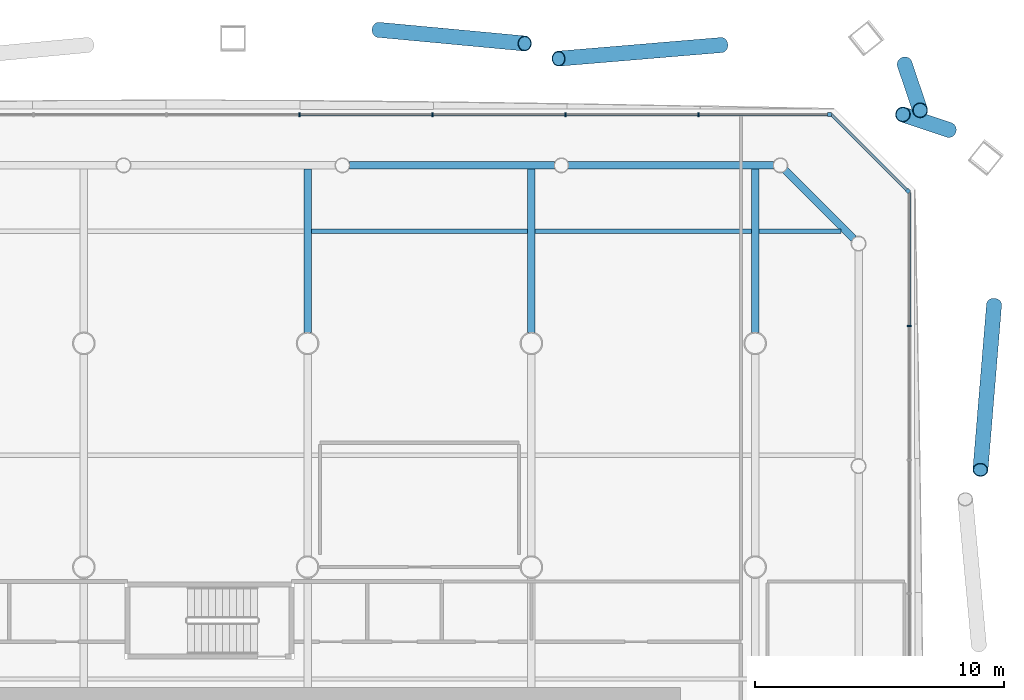
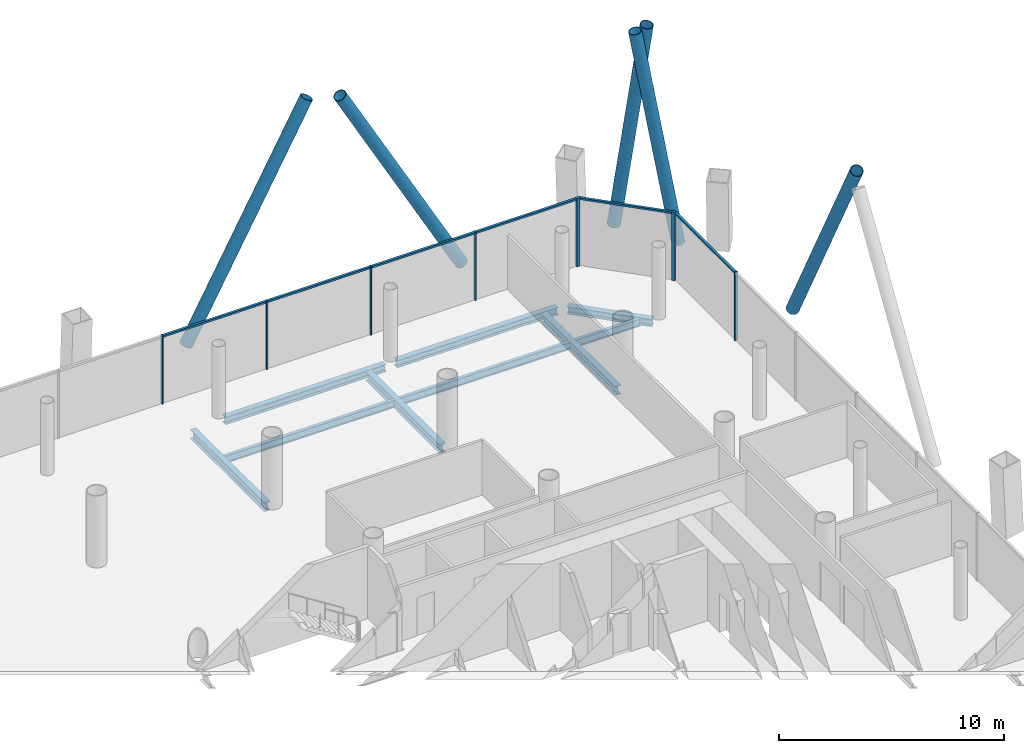
# One storey, part 15 of 25: 18 members, 9 beams, 3 elements without a shape of their own.
"""IFC4 building model written with IfcOpenShell, lengths in metres."""

from ifc_helpers import new_model, si_unit, direction, frame, origin, origin_2d, place, context, subcontext, project, spatial, rectangle, hollow_circle, i_section, extrude, material, material_profile, profile_set, type_object, element, aggregate, save


model = new_model("IFC4")

# Units and contexts
model_context = context("Model", 3, precision=1e-05, world=origin(), true_north=direction((0.0, 1.0)))
body_context = subcontext(model_context, "Body", "Model", "MODEL_VIEW")
ifc_project = project(units=[si_unit("LENGTHUNIT", "METRE"), si_unit("AREAUNIT", "SQUARE_METRE"), si_unit("VOLUMEUNIT", "CUBIC_METRE"), si_unit("PLANEANGLEUNIT", "RADIAN"), si_unit("MASSUNIT", "GRAM", prefix="KILO")], contexts=[model_context])

# Site, building, storey
site_placement = place(None, origin())
site = spatial("IfcSite", under=ifc_project, at=site_placement, CompositionType="ELEMENT")
building_placement = place(site_placement, origin())
building = spatial("IfcBuilding", under=site, at=building_placement, Name="Tskaro Facet Tower", CompositionType="ELEMENT")
storey_placement = place(building_placement, frame((0.0, 0.0, 22.5)))
storey = spatial("IfcBuildingStorey", under=building, at=storey_placement, Name="L04", CompositionType="ELEMENT", Elevation=22.5)

# Members
ifc_material_1 = material(Name="Steel S355J2H", Category="steel")
ifc_material_profile_1 = material_profile(ifc_material_1, hollow_circle(Radius=0.304931640625, WallThickness=0.030029296875, at=origin_2d()), Name="CHS 610x30")
ifc_profile_set_1 = profile_set([ifc_material_profile_1], Name="Steel S355J2H")
member_type_1 = type_object("IfcMemberType", Name="CHS 610x30 brace", PredefinedType="BRACE", material=ifc_profile_set_1)
member_1_placement = place(storey_placement, frame((27.607177734375, 19.546142578125, 0.0), z_axis=(-0.040680240345, -0.492860245825, 0.869157003153), x_axis=(0.996610955233, -0.082259369736, 0.0)))
element("IfcMember", 1, at=member_1_placement, inside=storey, type_object=member_type_1, Name="CHS 610x30 XB05B/1", PredefinedType="BRACE", context=body_context, shape_type="SweptSolid", body=[
    extrude(hollow_circle(Radius=0.304931640625, WallThickness=0.030029296875, at=origin_2d()), origin(), (0.0, 0.0, 1.0), 13.461181640625),
])
for number, where, z_axis, x_axis, name in (
    (2, (25.78759765625, 26.584716796875, 0.0), (-0.155693587518, 0.052240920825, 0.986423029434), (-0.318107211302, -0.948054746371, 0.0), "CHS 610x30 XB06A/1"),
    (3, (24.01611328125, 29.218994140625, 0.0), (0.052240753397, -0.155713671967, 0.986419868031), (0.948067427314, 0.318069415799, 0.0), "CHS 610x30 XB06B/1"),
):
    element("IfcMember", number, at=place(storey_placement, frame(where, z_axis=z_axis, x_axis=x_axis)), inside=storey, type_object=member_type_1, Name=name, PredefinedType="BRACE", context=body_context, shape_type="SweptSolid", body=[
        extrude(hollow_circle(Radius=0.304931640625, WallThickness=0.030029296875, at=origin_2d()), origin(), (0.0, 0.0, 1.0), 11.861083984375),
    ])
member_2_placement = place(storey_placement, frame((16.6357421875, 29.997314453125, 0.0), z_axis=(-0.487809665063, -0.040831246537, 0.871994575658), x_axis=(0.083411543722, -0.99651518522, 0.0)))
element("IfcMember", 4, at=member_2_placement, inside=storey, type_object=member_type_1, Name="CHS 610x30 XB07A/1", PredefinedType="BRACE", context=body_context, shape_type="SweptSolid", body=[
    extrude(hollow_circle(Radius=0.304931640625, WallThickness=0.030029296875, at=origin_2d()), origin(), (0.0, 0.0, 1.0), 13.41748046875),
])
member_3_placement = place(storey_placement, frame((2.86572265625, 30.607177734375, 0.0), z_axis=(0.44778409282, -0.041803867485, 0.893163950728), x_axis=(0.092953006112, 0.995670497029, 0.0)))
element("IfcMember", 5, at=member_3_placement, inside=storey, type_object=member_type_1, Name="CHS 610x30 XB07B/1", PredefinedType="BRACE", context=body_context, shape_type="SweptSolid", body=[
    extrude(hollow_circle(Radius=0.304931640625, WallThickness=0.030029296875, at=origin_2d()), origin(), (0.0, 0.0, 1.0), 13.099365234375),
])

# Curtain wall, member
ifc_material_2 = material(Name="Bronze anodised aluminium 6063-T6", Category="aluminium")
curtain_wall_type = type_object("IfcCurtainWallType", Name="Bronze office curtain wall (FW1)", PredefinedType="NOTDEFINED", material=ifc_material_2)
curtain_wall_1_placement = place(storey_placement, origin())
curtain_wall_1 = element("IfcCurtainWall", 6, at=curtain_wall_1_placement, inside=storey, type_object=curtain_wall_type, Name="FW1 north-east facet L04", PredefinedType="NOTDEFINED")
ifc_material_profile_2 = material_profile(ifc_material_2, rectangle(XDim=0.159912109375, YDim=0.159912109375, at=origin_2d()), Name="Corner post 160x160")
ifc_profile_set_2 = profile_set([ifc_material_profile_2], Name="Bronze anodised aluminium 6063-T6")
member_type_2 = type_object("IfcMemberType", Name="FW1 bronze corner post 160x160", PredefinedType="MULLION", material=ifc_profile_set_2)
member_4_placement = place(storey_placement, frame((24.1455078125, 24.12255859375, 0.0), z_axis=(0.0, 0.0, 1.0), x_axis=(-0.707106781187, 0.707106781187, 0.0)))
member_4 = element("IfcMember", 7, at=member_4_placement, type_object=member_type_2, Name="FW1 north-east corner post", PredefinedType="MULLION", context=body_context, shape_type="SweptSolid", body=[
    extrude(rectangle(XDim=0.159912109375, YDim=0.159912109375, at=origin_2d()), origin(), (0.0, 0.0, 1.0), 3.699951171875),
])

curtain_wall_2_placement = place(storey_placement, origin())
curtain_wall_2 = element("IfcCurtainWall", 8, at=curtain_wall_2_placement, inside=storey, type_object=curtain_wall_type, Name="FW1 north facet L04", PredefinedType="NOTDEFINED")
member_5_placement = place(storey_placement, frame((20.986083984375, 27.201904296875, 0.0), z_axis=(0.0, 0.0, 1.0), x_axis=(-1.0, 0.0, 0.0)))
member_5 = element("IfcMember", 9, at=member_5_placement, type_object=member_type_2, Name="FW1 north corner post", PredefinedType="MULLION", context=body_context, shape_type="SweptSolid", body=[
    extrude(rectangle(XDim=0.159912109375, YDim=0.159912109375, at=origin_2d()), origin(), (0.0, 0.0, 1.0), 3.699951171875),
])

curtain_wall_3_placement = place(storey_placement, origin())
curtain_wall_3 = element("IfcCurtainWall", 10, at=curtain_wall_3_placement, inside=storey, type_object=curtain_wall_type, Name="FW1 east facet L04", PredefinedType="NOTDEFINED")
ifc_material_profile_3 = material_profile(ifc_material_2, rectangle(XDim=0.06005859375, YDim=0.159912109375, at=origin_2d()), Name="Mullion 60x160")
ifc_profile_set_3 = profile_set([ifc_material_profile_3], Name="Bronze anodised aluminium 6063-T6")
member_type_3 = type_object("IfcMemberType", Name="FW1 bronze mullion 60x160", PredefinedType="MULLION", material=ifc_profile_set_3)
member_6_placement = place(storey_placement, frame((24.201904296875, 18.69140625, 0.0), z_axis=(0.0, 0.0, 1.0), x_axis=(0.0, 1.0, 0.0)))
member_6 = element("IfcMember", 11, at=member_6_placement, type_object=member_type_3, Name="FW1 east mullion 8", PredefinedType="MULLION", context=body_context, shape_type="SweptSolid", body=[
    extrude(rectangle(XDim=0.06005859375, YDim=0.159912109375, at=origin_2d()), origin(), (0.0, 0.0, 1.0), 3.699951171875),
])

# Member
member_7_placement = place(storey_placement, frame((15.718017578125, 27.201904296875, 0.0), z_axis=(0.0, 0.0, 1.0), x_axis=(-1.0, 0.0, 0.0)))
member_7 = element("IfcMember", 12, at=member_7_placement, type_object=member_type_3, Name="FW1 north mullion 1", PredefinedType="MULLION", context=body_context, shape_type="SweptSolid", body=[
    extrude(rectangle(XDim=0.06005859375, YDim=0.159912109375, at=origin_2d()), origin(), (0.0, 0.0, 1.0), 3.699951171875),
])

member_8_placement = place(storey_placement, frame((10.3701171875, 27.201904296875, 0.0), z_axis=(0.0, 0.0, 1.0), x_axis=(-1.0, 0.0, 0.0)))
member_8 = element("IfcMember", 13, at=member_8_placement, type_object=member_type_3, Name="FW1 north mullion 2", PredefinedType="MULLION", context=body_context, shape_type="SweptSolid", body=[
    extrude(rectangle(XDim=0.06005859375, YDim=0.159912109375, at=origin_2d()), origin(), (0.0, 0.0, 1.0), 3.699951171875),
])

member_9_placement = place(storey_placement, frame((5.02197265625, 27.201904296875, 0.0), z_axis=(0.0, 0.0, 1.0), x_axis=(-1.0, 0.0, 0.0)))
member_9 = element("IfcMember", 14, at=member_9_placement, type_object=member_type_3, Name="FW1 north mullion 3", PredefinedType="MULLION", context=body_context, shape_type="SweptSolid", body=[
    extrude(rectangle(XDim=0.06005859375, YDim=0.159912109375, at=origin_2d()), origin(), (0.0, 0.0, 1.0), 3.699951171875),
])

member_10_placement = place(storey_placement, frame((-0.325927734375, 27.201904296875, 0.0), z_axis=(0.0, 0.0, 1.0), x_axis=(-1.0, 0.0, 0.0)))
member_10 = element("IfcMember", 15, at=member_10_placement, type_object=member_type_3, Name="FW1 north mullion 4", PredefinedType="MULLION", context=body_context, shape_type="SweptSolid", body=[
    extrude(rectangle(XDim=0.06005859375, YDim=0.159912109375, at=origin_2d()), origin(), (0.0, 0.0, 1.0), 3.699951171875),
])

ifc_material_profile_4 = material_profile(ifc_material_2, rectangle(XDim=0.1201171875, YDim=0.10009765625, at=origin_2d()), Name="Transom 120x100")
ifc_profile_set_4 = profile_set([ifc_material_profile_4], Name="Bronze anodised aluminium 6063-T6")
member_type_4 = type_object("IfcMemberType", Name="FW1 bronze transom 120x100", PredefinedType="USERDEFINED", material=ifc_profile_set_4)
member_11_placement = place(storey_placement, frame((24.201904296875, 18.721435546875, 3.64990234375), z_axis=(0.0, 1.0, 0.0), x_axis=(-1.0, 0.0, 0.0)))
member_11 = element("IfcMember", 16, at=member_11_placement, type_object=member_type_4, Name="FW1 east transom 9.1", ObjectType="TRANSOM", PredefinedType="USERDEFINED", context=body_context, shape_type="SweptSolid", body=[
    extrude(rectangle(XDim=0.1201171875, YDim=0.10009765625, at=origin_2d()), origin(), (0.0, 0.0, 1.0), 5.344482421875),
])

aggregate(curtain_wall_3, [member_6, member_11])

member_12_placement = place(storey_placement, frame((24.0888671875, 24.17919921875, 3.64990234375), z_axis=(-0.707135335582, 0.707078225638, 0.0), x_axis=(-0.707078225638, -0.707135335582, 0.0)))
member_12 = element("IfcMember", 17, at=member_12_placement, type_object=member_type_4, Name="FW1 north-east transom 1.1", ObjectType="TRANSOM", PredefinedType="USERDEFINED", context=body_context, shape_type="SweptSolid", body=[
    extrude(rectangle(XDim=0.1201171875, YDim=0.10009765625, at=origin_2d()), origin(), (0.0, 0.0, 1.0), 4.27490234375),
])

aggregate(curtain_wall_1, [member_4, member_12])

member_13_placement = place(storey_placement, frame((20.906005859375, 27.201904296875, 3.64990234375), z_axis=(-1.0, 0.0, 0.0), x_axis=(0.0, -1.0, 0.0)))
member_13 = element("IfcMember", 18, at=member_13_placement, type_object=member_type_4, Name="FW1 north transom 1.1", ObjectType="TRANSOM", PredefinedType="USERDEFINED", context=body_context, shape_type="SweptSolid", body=[
    extrude(rectangle(XDim=0.1201171875, YDim=0.10009765625, at=origin_2d()), origin(), (0.0, 0.0, 1.0), 5.157958984375),
])

member_14_placement = place(storey_placement, frame((15.68798828125, 27.201904296875, 3.64990234375), z_axis=(-1.0, 0.0, 0.0), x_axis=(0.0, -1.0, 0.0)))
member_14 = element("IfcMember", 19, at=member_14_placement, type_object=member_type_4, Name="FW1 north transom 2.1", ObjectType="TRANSOM", PredefinedType="USERDEFINED", context=body_context, shape_type="SweptSolid", body=[
    extrude(rectangle(XDim=0.1201171875, YDim=0.10009765625, at=origin_2d()), origin(), (0.0, 0.0, 1.0), 5.2880859375),
])

member_15_placement = place(storey_placement, frame((10.340087890625, 27.201904296875, 3.64990234375), z_axis=(-1.0, 0.0, 0.0), x_axis=(0.0, -1.0, 0.0)))
member_15 = element("IfcMember", 20, at=member_15_placement, type_object=member_type_4, Name="FW1 north transom 3.1", ObjectType="TRANSOM", PredefinedType="USERDEFINED", context=body_context, shape_type="SweptSolid", body=[
    extrude(rectangle(XDim=0.1201171875, YDim=0.10009765625, at=origin_2d()), origin(), (0.0, 0.0, 1.0), 5.2880859375),
])

member_16_placement = place(storey_placement, frame((4.991943359375, 27.201904296875, 3.64990234375), z_axis=(-1.0, 0.0, 0.0), x_axis=(0.0, -1.0, 0.0)))
member_16 = element("IfcMember", 21, at=member_16_placement, type_object=member_type_4, Name="FW1 north transom 4.1", ObjectType="TRANSOM", PredefinedType="USERDEFINED", context=body_context, shape_type="SweptSolid", body=[
    extrude(rectangle(XDim=0.1201171875, YDim=0.10009765625, at=origin_2d()), origin(), (0.0, 0.0, 1.0), 5.287841796875),
])

aggregate(curtain_wall_2, [member_5, member_7, member_8, member_9, member_10, member_13, member_14, member_15, member_16])

# Beams
ifc_material_3 = material(Name="Steel S355J2", Category="steel")
ifc_material_profile_5 = material_profile(ifc_material_3, i_section(OverallWidth=0.300048828125, OverallDepth=0.39990234375, WebThickness=0.013427734375, FlangeThickness=0.02392578125, FilletRadius=0.027099609375, at=origin_2d()), Name="HE 400 B")
ifc_profile_set_5 = profile_set([ifc_material_profile_5], Name="Steel S355J2")
beam_type_1 = type_object("IfcBeamType", Name="HE 400 B ring beam", PredefinedType="BEAM", material=ifc_profile_set_5)
beam_1_placement = place(storey_placement, frame((21.962646484375, 22.20654296875, -0.340087890625), z_axis=(-0.707106781187, 0.707106781187, 0.0), x_axis=(-0.707106781187, -0.707106781187, 0.0)))
element("IfcBeam", 22, at=beam_1_placement, inside=storey, type_object=beam_type_1, Name="HE 400 B EB13-1", PredefinedType="BEAM", context=body_context, shape_type="SweptSolid", body=[
    extrude(i_section(OverallWidth=0.300048828125, OverallDepth=0.39990234375, WebThickness=0.013427734375, FlangeThickness=0.02392578125, FilletRadius=0.027099609375, at=origin_2d()), origin(), (0.0, 0.0, 1.0), 3.897705078125),
])
beam_2_placement = place(storey_placement, frame((18.737060546875, 25.156982421875, -0.340087890625), z_axis=(-1.0, 0.0, 0.0), x_axis=(0.0, -1.0, 0.0)))
element("IfcBeam", 23, at=beam_2_placement, inside=storey, type_object=beam_type_1, Name="HE 400 B EB14-1", PredefinedType="BEAM", context=body_context, shape_type="SweptSolid", body=[
    extrude(i_section(OverallWidth=0.300048828125, OverallDepth=0.39990234375, WebThickness=0.013427734375, FlangeThickness=0.02392578125, FilletRadius=0.027099609375, at=origin_2d()), origin(), (0.0, 0.0, 1.0), 8.255126953125),
])
beam_3_placement = place(storey_placement, frame((9.931884765625, 25.156982421875, -0.340087890625), z_axis=(-1.0, 0.0, 0.0), x_axis=(0.0, -1.0, 0.0)))
element("IfcBeam", 24, at=beam_3_placement, inside=storey, type_object=beam_type_1, Name="HE 400 B EB15-1", PredefinedType="BEAM", context=body_context, shape_type="SweptSolid", body=[
    extrude(i_section(OverallWidth=0.300048828125, OverallDepth=0.39990234375, WebThickness=0.013427734375, FlangeThickness=0.02392578125, FilletRadius=0.027099609375, at=origin_2d()), origin(), (0.0, 0.0, 1.0), 8.2548828125),
])
ifc_material_profile_6 = material_profile(ifc_material_3, i_section(OverallWidth=0.300048828125, OverallDepth=0.489990234375, WebThickness=0.011962890625, FlangeThickness=0.02294921875, FilletRadius=0.027099609375, at=origin_2d()), Name="HE 500 A")
ifc_profile_set_6 = profile_set([ifc_material_profile_6], Name="Steel S355J2")
beam_type_2 = type_object("IfcBeamType", Name="HE 500 A girder", PredefinedType="BEAM", material=ifc_profile_set_6)
for number, where, z_axis, x_axis, name in (
    (25, (0.0, 18.42724609375, -0.385009765625), (0.0, 1.0, 0.0), (-1.0, 0.0, 0.0), "HE 500 A GB4-5-1"),
    (26, (9.0, 18.42724609375, -0.385009765625), (0.0, 1.0, 0.0), (-1.0, 0.0, 0.0), "HE 500 A GB5-5-1"),
    (27, (18.0, 18.42724609375, -0.385009765625), (0.0, 1.0, 0.0), (-1.0, 0.0, 0.0), "HE 500 A GB6-6-1"),
):
    element("IfcBeam", number, at=place(storey_placement, frame(where, z_axis=z_axis, x_axis=x_axis)), inside=storey, type_object=beam_type_2, Name=name, PredefinedType="BEAM", context=body_context, shape_type="SweptSolid", body=[
        extrude(i_section(OverallWidth=0.300048828125, OverallDepth=0.489990234375, WebThickness=0.011962890625, FlangeThickness=0.02294921875, FilletRadius=0.027099609375, at=origin_2d()), origin(), (0.0, 0.0, 1.0), 6.579833984375),
    ])
ifc_material_profile_7 = material_profile(ifc_material_3, i_section(OverallWidth=0.179931640625, OverallDepth=0.39990234375, WebThickness=0.008544921875, FlangeThickness=0.013427734375, FilletRadius=0.02099609375, at=origin_2d()), Name="IPE 400")
ifc_profile_set_7 = profile_set([ifc_material_profile_7], Name="Steel S355J2")
beam_type_3 = type_object("IfcBeamType", Name="IPE 400 secondary beam", PredefinedType="BEAM", material=ifc_profile_set_7)
for number, where, z_axis, x_axis, name in (
    (28, (0.14990234375, 22.5, -0.340087890625), (1.0, 0.0, 0.0), (0.0, 1.0, 0.0), "IPE 400 SB6a-4-1"),
    (29, (9.14990234375, 22.5, -0.340087890625), (1.0, 0.0, 0.0), (0.0, 1.0, 0.0), "IPE 400 SB6a-5-1"),
):
    element("IfcBeam", number, at=place(storey_placement, frame(where, z_axis=z_axis, x_axis=x_axis)), inside=storey, type_object=beam_type_3, Name=name, PredefinedType="BEAM", context=body_context, shape_type="SweptSolid", body=[
        extrude(i_section(OverallWidth=0.179931640625, OverallDepth=0.39990234375, WebThickness=0.008544921875, FlangeThickness=0.013427734375, FilletRadius=0.02099609375, at=origin_2d()), origin(), (0.0, 0.0, 1.0), 8.7001953125),
    ])
beam_4_placement = place(storey_placement, frame((18.14990234375, 22.5, -0.340087890625), z_axis=(1.0, 0.0, 0.0), x_axis=(0.0, 1.0, 0.0)))
element("IfcBeam", 30, at=beam_4_placement, inside=storey, type_object=beam_type_3, Name="IPE 400 SB6a-6-1", PredefinedType="BEAM", context=body_context, shape_type="SweptSolid", body=[
    extrude(i_section(OverallWidth=0.179931640625, OverallDepth=0.39990234375, WebThickness=0.008544921875, FlangeThickness=0.013427734375, FilletRadius=0.02099609375, at=origin_2d()), origin(), (0.0, 0.0, 1.0), 3.30712890625),
])

save(model, "model.ifc")
